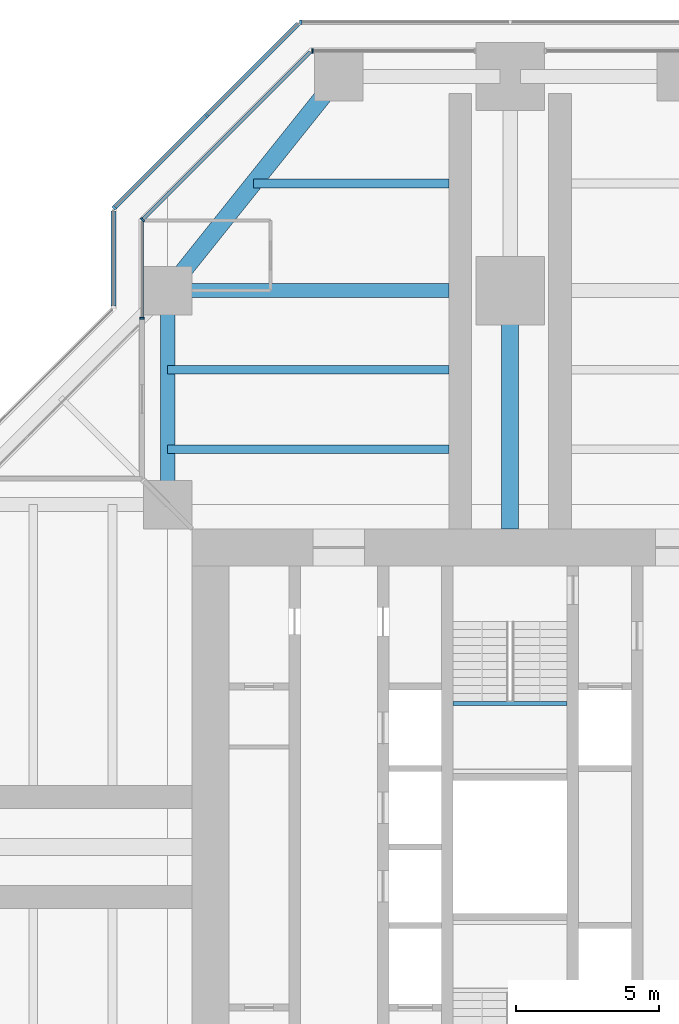
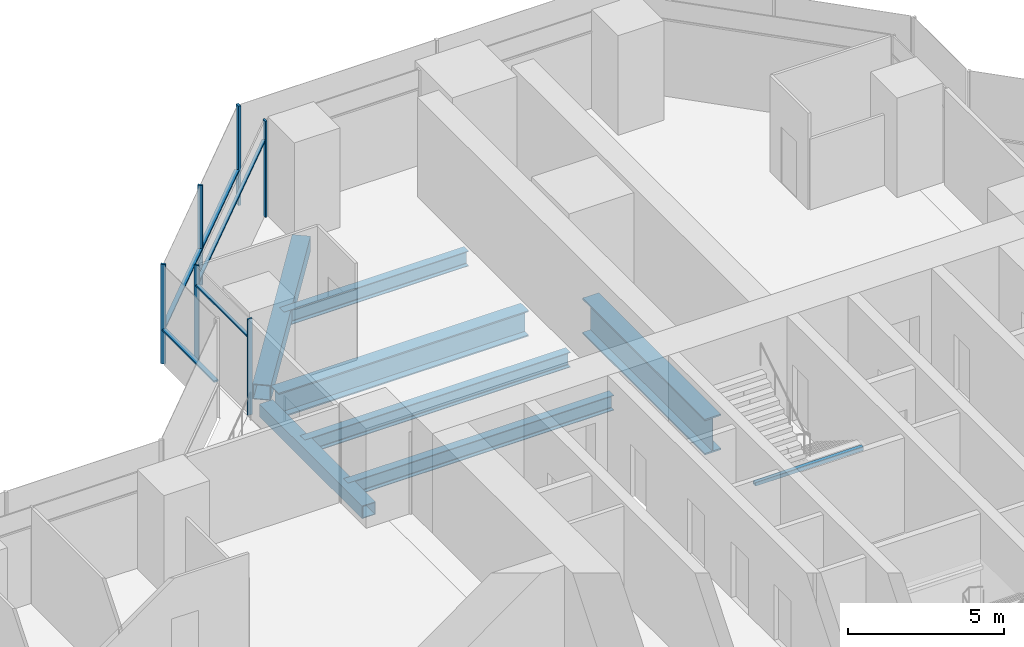
# One storey, part 8 of 20: 11 members, 8 beams, 6 elements without a shape of their own.
"""IFC4 building model written with IfcOpenShell, lengths in metres."""

from ifc_helpers import new_model, si_unit, direction, frame, origin, origin_2d, place, context, subcontext, project, spatial, rectangle, hollow_rectangle, i_section, extrude, material, material_profile, profile_set, type_object, element, aggregate, save


model = new_model("IFC4")

# Units and contexts
model_context = context("Model", 3, precision=1e-05, world=origin(), true_north=direction((0.0, 1.0)))
body_context = subcontext(model_context, "Body", "Model", "MODEL_VIEW")
ifc_project = project(units=[si_unit("LENGTHUNIT", "METRE"), si_unit("AREAUNIT", "SQUARE_METRE"), si_unit("VOLUMEUNIT", "CUBIC_METRE"), si_unit("PLANEANGLEUNIT", "RADIAN"), si_unit("MASSUNIT", "GRAM", prefix="KILO")], contexts=[model_context])

# Site, building, storey
site_placement = place(None, origin())
site = spatial("IfcSite", under=ifc_project, at=site_placement, CompositionType="ELEMENT")
building_placement = place(site_placement, origin())
building = spatial("IfcBuilding", under=site, at=building_placement, Name="Mizan Broadcast Tower", CompositionType="ELEMENT")
storey_placement = place(building_placement, frame((0.0, 0.0, 174.89990234375)))
storey = spatial("IfcBuildingStorey", under=building, at=storey_placement, Name="L40", CompositionType="ELEMENT", Elevation=174.89990234375)

# Beams
ifc_material_1 = material(Name="Steel S355", Category="steel")
ifc_material_profile_1 = material_profile(ifc_material_1, hollow_rectangle(XDim=0.5, YDim=0.5, WallThickness=0.030029296875, at=origin_2d()), Name="BOX 500x500x30")
ifc_profile_set_1 = profile_set([ifc_material_profile_1], Name="Steel S355")
beam_type_1 = type_object("IfcBeamType", Name="EDGE BEAM BOX 500x500x30", PredefinedType="SPANDREL", material=ifc_profile_set_1)
beam_1_placement = place(storey_placement, frame((-12.0, 12.449951171875, -0.3798828125), z_axis=(0.0, 1.0, 0.0), x_axis=(-1.0, 0.0, 0.0)))
element("IfcBeam", 1, at=beam_1_placement, inside=storey, type_object=beam_type_1, Name="Edge beam BOX 500x500x30 L40 north arm", PredefinedType="SPANDREL", context=body_context, shape_type="SweptSolid", body=[
    extrude(hollow_rectangle(XDim=0.5, YDim=0.5, WallThickness=0.030029296875, at=origin_2d()), origin(), (0.0, 0.0, 1.0), 6.60009765625),
])
ifc_material_2 = material(Name="Steel S355", Category="steel")
ifc_material_profile_2 = material_profile(ifc_material_2, hollow_rectangle(XDim=0.60009765625, YDim=0.60009765625, WallThickness=0.030029296875, at=origin_2d()), Name="BOX 600x600x30")
ifc_profile_set_2 = profile_set([ifc_material_profile_2], Name="Steel S355")
beam_type_2 = type_object("IfcBeamType", Name="EDGE BEAM BOX 600x600x30", PredefinedType="SPANDREL", material=ifc_profile_set_2)
beam_2_placement = place(storey_placement, frame((-11.639892578125, 19.949951171875, -0.429931640625), z_axis=(0.624673911726, 0.780885717636, 0.0), x_axis=(-0.780885717636, 0.624673911726, 0.0)))
element("IfcBeam", 2, at=beam_2_placement, inside=storey, type_object=beam_type_2, Name="Edge beam BOX 600x600x30 L40 north arm", PredefinedType="SPANDREL", context=body_context, shape_type="SweptSolid", body=[
    extrude(hollow_rectangle(XDim=0.60009765625, YDim=0.60009765625, WallThickness=0.030029296875, at=origin_2d()), origin(), (0.0, 0.0, 1.0), 8.4521484375),
])
ifc_material_3 = material(Name="Steel S460", Category="steel")
ifc_material_profile_3 = material_profile(ifc_material_3, i_section(OverallWidth=0.5, OverallDepth=1.0, WebThickness=0.02490234375, FlangeThickness=0.050048828125, at=origin_2d()), Name="WPG 1000x500")
ifc_profile_set_3 = profile_set([ifc_material_profile_3], Name="Steel S460")
beam_type_3 = type_object("IfcBeamType", Name="GIRDER WPG 1000x500", PredefinedType="BEAM", material=ifc_profile_set_3)
beam_3_placement = place(storey_placement, frame((-11.408935546875, 19.5, -0.6298828125), z_axis=(1.0, 0.0, 0.0), x_axis=(0.0, 1.0, 0.0)))
element("IfcBeam", 3, at=beam_3_placement, inside=storey, type_object=beam_type_3, Name="Girder WPG 1000x500 L40 north arm", PredefinedType="BEAM", context=body_context, shape_type="SweptSolid", body=[
    extrude(i_section(OverallWidth=0.5, OverallDepth=1.0, WebThickness=0.02490234375, FlangeThickness=0.050048828125, at=origin_2d()), origin(), (0.0, 0.0, 1.0), 9.259033203125),
])
ifc_material_4 = material(Name="Steel S460", Category="steel")
ifc_material_profile_4 = material_profile(ifc_material_4, i_section(OverallWidth=0.60009765625, OverallDepth=1.39990234375, WebThickness=0.02490234375, FlangeThickness=0.06005859375, at=origin_2d()), Name="WPG 1400x600")
ifc_profile_set_4 = profile_set([ifc_material_profile_4], Name="Steel S460")
beam_type_4 = type_object("IfcBeamType", Name="GIRDER WPG 1400x600", PredefinedType="BEAM", material=ifc_profile_set_4)
beam_4_placement = place(storey_placement, frame((0.0, 11.14990234375, -0.829833984375), z_axis=(0.0, 1.0, 0.0), x_axis=(-1.0, 0.0, 0.0)))
element("IfcBeam", 4, at=beam_4_placement, inside=storey, type_object=beam_type_4, Name="Girder WPG 1400x600 L40 north arm", PredefinedType="BEAM", context=body_context, shape_type="SweptSolid", body=[
    extrude(i_section(OverallWidth=0.60009765625, OverallDepth=1.39990234375, WebThickness=0.02490234375, FlangeThickness=0.06005859375, at=origin_2d()), origin(), (0.0, 0.0, 1.0), 7.84912109375),
])

# Curtain wall, member
ifc_material_5 = material(Name="Aluminium framed glazing", Category="aluminium")
curtain_wall_type_1 = type_object("IfcCurtainWallType", Name="INNER SKIN MID ZONE", PredefinedType="USERDEFINED", material=ifc_material_5)
curtain_wall_1_placement = place(storey_placement, origin())
curtain_wall_1 = element("IfcCurtainWall", 5, at=curtain_wall_1_placement, inside=storey, type_object=curtain_wall_type_1, Name="Inner skin mid zone L40 N end", ObjectType="INNER SKIN MID ZONE", PredefinedType="USERDEFINED")
ifc_material_6 = material(Name="Aluminium, pale anodised", Category="aluminium")
ifc_material_profile_5 = material_profile(ifc_material_6, rectangle(XDim=0.159912109375, YDim=0.06005859375, at=origin_2d()), Name="MULLION 160x60")
ifc_profile_set_5 = profile_set([ifc_material_profile_5], Name="Aluminium, pale anodised")
member_type_1 = type_object("IfcMemberType", Name="INNER SKIN MULLION 60x160", PredefinedType="MULLION", material=ifc_profile_set_5)
member_1_placement = place(storey_placement, frame((-6.928466796875, 27.89990234375, 0.0), z_axis=(0.0, 0.0, 1.0), x_axis=(0.0, -1.0, 0.0)))
member_1 = element("IfcMember", 6, at=member_1_placement, type_object=member_type_1, Name="Inner skin mid zone L40 N end mullion 2", PredefinedType="MULLION", context=body_context, shape_type="SweptSolid", body=[
    extrude(rectangle(XDim=0.159912109375, YDim=0.06005859375, at=origin_2d()), origin(), (0.0, 0.0, 1.0), 3.77001953125),
])
aggregate(curtain_wall_1, [member_1])

curtain_wall_2_placement = place(storey_placement, origin())
curtain_wall_2 = element("IfcCurtainWall", 7, at=curtain_wall_2_placement, inside=storey, type_object=curtain_wall_type_1, Name="Inner skin mid zone L40 N chamfer", ObjectType="INNER SKIN MID ZONE", PredefinedType="USERDEFINED")
member_2_placement = place(storey_placement, frame((-12.87890625, 21.979736328125, 0.0), z_axis=(0.0, 0.0, 1.0), x_axis=(0.707106781187, -0.707106781187, 0.0)))
member_2 = element("IfcMember", 8, at=member_2_placement, type_object=member_type_1, Name="Inner skin mid zone L40 N chamfer mullion 2", PredefinedType="MULLION", context=body_context, shape_type="SweptSolid", body=[
    extrude(rectangle(XDim=0.159912109375, YDim=0.06005859375, at=origin_2d()), origin(), (0.0, 0.0, 1.0), 3.77001953125),
])

curtain_wall_3_placement = place(storey_placement, origin())
curtain_wall_3 = element("IfcCurtainWall", 9, at=curtain_wall_3_placement, inside=storey, type_object=curtain_wall_type_1, Name="Inner skin mid zone L40 N side", ObjectType="INNER SKIN MID ZONE", PredefinedType="USERDEFINED")
member_3_placement = place(storey_placement, frame((-12.89990234375, 18.530029296875, 0.0), z_axis=(0.0, 0.0, 1.0), x_axis=(1.0, 0.0, 0.0)))
member_3 = element("IfcMember", 10, at=member_3_placement, type_object=member_type_1, Name="Inner skin mid zone L40 N side mullion 2", PredefinedType="MULLION", context=body_context, shape_type="SweptSolid", body=[
    extrude(rectangle(XDim=0.159912109375, YDim=0.06005859375, at=origin_2d()), origin(), (0.0, 0.0, 1.0), 3.77001953125),
])

# Member
ifc_material_7 = material(Name="Aluminium, pale anodised", Category="aluminium")
ifc_material_profile_6 = material_profile(ifc_material_7, rectangle(XDim=0.1201171875, YDim=0.06005859375, at=origin_2d()), Name="TRANSOM 120x60")
ifc_profile_set_6 = profile_set([ifc_material_profile_6], Name="Aluminium, pale anodised")
member_type_2 = type_object("IfcMemberType", Name="INNER SKIN TRANSOM 60x120", PredefinedType="USERDEFINED", material=ifc_profile_set_6)
member_4_placement = place(storey_placement, frame((-7.0009765625, 27.857666015625, 3.030029296875), z_axis=(-0.707106781187, -0.707106781187, 0.0), x_axis=(0.707106781187, -0.707106781187, 0.0)))
member_4 = element("IfcMember", 11, at=member_4_placement, type_object=member_type_2, Name="Inner skin mid zone L40 N chamfer transom 1.1", ObjectType="TRANSOM", PredefinedType="USERDEFINED", context=body_context, shape_type="SweptSolid", body=[
    extrude(rectangle(XDim=0.1201171875, YDim=0.06005859375, at=origin_2d()), origin(), (0.0, 0.0, 1.0), 8.28271484375),
])

aggregate(curtain_wall_2, [member_2, member_4])

member_5_placement = place(storey_placement, frame((-12.89990234375, 21.898681640625, 3.030029296875), z_axis=(0.0, -1.0, 0.0), x_axis=(1.0, 0.0, 0.0)))
member_5 = element("IfcMember", 12, at=member_5_placement, type_object=member_type_2, Name="Inner skin mid zone L40 N side transom 1.1", ObjectType="TRANSOM", PredefinedType="USERDEFINED", context=body_context, shape_type="SweptSolid", body=[
    extrude(rectangle(XDim=0.1201171875, YDim=0.06005859375, at=origin_2d()), origin(), (0.0, 0.0, 1.0), 3.338623046875),
])

aggregate(curtain_wall_3, [member_3, member_5])

# Beam
ifc_material_8 = material(Name="Steel S355", Category="steel")
ifc_material_profile_7 = material_profile(ifc_material_8, hollow_rectangle(XDim=0.14990234375, YDim=0.14990234375, WallThickness=0.008056640625, InnerFilletRadius=0.008056640625, OuterFilletRadius=0.011962890625, at=origin_2d()), Name="SHS 150x150x8")
ifc_profile_set_7 = profile_set([ifc_material_profile_7], Name="Steel S355")
beam_type_5 = type_object("IfcBeamType", Name="LANDING TRIMMER SHS 150x150x8", PredefinedType="BEAM", material=ifc_profile_set_7)
beam_5_placement = place(storey_placement, frame((2.0, 5.02490234375, 1.675048828125), z_axis=(-1.0, 0.0, 0.0), x_axis=(0.0, -1.0, 0.0)))
element("IfcBeam", 13, at=beam_5_placement, inside=storey, type_object=beam_type_5, Name="Stair B landing trimmer L40", PredefinedType="BEAM", context=body_context, shape_type="SweptSolid", body=[
    extrude(hollow_rectangle(XDim=0.14990234375, YDim=0.14990234375, WallThickness=0.008056640625, InnerFilletRadius=0.008056640625, OuterFilletRadius=0.011962890625, at=origin_2d()), origin(), (0.0, 0.0, 1.0), 4.0),
])

# Curtain wall, member
ifc_material_9 = material(Name="Aluminium framed glazing", Category="aluminium")
curtain_wall_type_2 = type_object("IfcCurtainWallType", Name="OUTER SKIN", PredefinedType="USERDEFINED", material=ifc_material_9)
curtain_wall_4_placement = place(storey_placement, origin())
curtain_wall_4 = element("IfcCurtainWall", 14, at=curtain_wall_4_placement, inside=storey, type_object=curtain_wall_type_2, Name="Outer skin L40 N end", ObjectType="OUTER SKIN", PredefinedType="USERDEFINED")
ifc_material_10 = material(Name="Aluminium, pale anodised", Category="aluminium")
ifc_material_profile_8 = material_profile(ifc_material_10, rectangle(XDim=0.159912109375, YDim=0.080078125, at=origin_2d()), Name="MULLION 160x80")
ifc_profile_set_8 = profile_set([ifc_material_profile_8], Name="Aluminium, pale anodised")
member_type_3 = type_object("IfcMemberType", Name="OUTER SKIN MULLION 80x160", PredefinedType="MULLION", material=ifc_profile_set_8)
member_6_placement = place(storey_placement, frame((-7.332763671875, 28.89990234375, 0.0), z_axis=(0.0, 0.0, 1.0), x_axis=(0.0, -1.0, 0.0)))
member_6 = element("IfcMember", 15, at=member_6_placement, type_object=member_type_3, Name="Outer skin L40 N end mullion 3", PredefinedType="MULLION", context=body_context, shape_type="SweptSolid", body=[
    extrude(rectangle(XDim=0.159912109375, YDim=0.080078125, at=origin_2d()), origin(), (0.0, 0.0, 1.0), 3.900146484375),
])
aggregate(curtain_wall_4, [member_6])

# Curtain wall, members
curtain_wall_5_placement = place(storey_placement, origin())
curtain_wall_5 = element("IfcCurtainWall", 16, at=curtain_wall_5_placement, inside=storey, type_object=curtain_wall_type_2, Name="Outer skin L40 N chamfer", ObjectType="OUTER SKIN", PredefinedType="USERDEFINED")
member_7_placement = place(storey_placement, frame((-10.636474609375, 25.636474609375, 0.0), z_axis=(0.0, 0.0, 1.0), x_axis=(0.707106781187, -0.707106781187, 0.0)))
member_7 = element("IfcMember", 17, at=member_7_placement, type_object=member_type_3, Name="Outer skin L40 N chamfer mullion 2", PredefinedType="MULLION", context=body_context, shape_type="SweptSolid", body=[
    extrude(rectangle(XDim=0.159912109375, YDim=0.080078125, at=origin_2d()), origin(), (0.0, 0.0, 1.0), 3.900146484375),
])
member_8_placement = place(storey_placement, frame((-13.871826171875, 22.401123046875, 0.0), z_axis=(0.0, 0.0, 1.0), x_axis=(0.707106781187, -0.707106781187, 0.0)))
member_8 = element("IfcMember", 18, at=member_8_placement, type_object=member_type_3, Name="Outer skin L40 N chamfer mullion 3", PredefinedType="MULLION", context=body_context, shape_type="SweptSolid", body=[
    extrude(rectangle(XDim=0.159912109375, YDim=0.080078125, at=origin_2d()), origin(), (0.0, 0.0, 1.0), 3.900146484375),
])
ifc_material_11 = material(Name="Aluminium, pale anodised", Category="aluminium")
ifc_material_profile_9 = material_profile(ifc_material_11, rectangle(XDim=0.159912109375, YDim=0.06005859375, at=origin_2d()), Name="TRANSOM 160x60")
ifc_profile_set_9 = profile_set([ifc_material_profile_9], Name="Aluminium, pale anodised")
member_type_4 = type_object("IfcMemberType", Name="OUTER SKIN TRANSOM 60x160", PredefinedType="USERDEFINED", material=ifc_profile_set_9)
member_9_placement = place(storey_placement, frame((-7.429443359375, 28.843505859375, 1.400146484375), z_axis=(-0.707106781187, -0.707106781187, 0.0), x_axis=(0.707106781187, -0.707106781187, 0.0)))
member_9 = element("IfcMember", 19, at=member_9_placement, type_object=member_type_4, Name="Outer skin L40 N chamfer transom 1.1", ObjectType="TRANSOM", PredefinedType="USERDEFINED", context=body_context, shape_type="SweptSolid", body=[
    extrude(rectangle(XDim=0.159912109375, YDim=0.06005859375, at=origin_2d()), origin(), (0.0, 0.0, 1.0), 4.495361328125),
])
member_10_placement = place(storey_placement, frame((-10.664794921875, 25.608154296875, 1.400146484375), z_axis=(-0.707106781187, -0.707106781187, 0.0), x_axis=(0.707106781187, -0.707106781187, 0.0)))
member_10 = element("IfcMember", 20, at=member_10_placement, type_object=member_type_4, Name="Outer skin L40 N chamfer transom 2.1", ObjectType="TRANSOM", PredefinedType="USERDEFINED", context=body_context, shape_type="SweptSolid", body=[
    extrude(rectangle(XDim=0.159912109375, YDim=0.06005859375, at=origin_2d()), origin(), (0.0, 0.0, 1.0), 4.495361328125),
])
aggregate(curtain_wall_5, [member_7, member_8, member_9, member_10])

# Curtain wall, member
curtain_wall_6_placement = place(storey_placement, origin())
curtain_wall_6 = element("IfcCurtainWall", 21, at=curtain_wall_6_placement, inside=storey, type_object=curtain_wall_type_2, Name="Outer skin L40 N side", ObjectType="OUTER SKIN", PredefinedType="USERDEFINED")
member_11_placement = place(storey_placement, frame((-13.89990234375, 22.292724609375, 1.400146484375), z_axis=(0.0, -1.0, 0.0), x_axis=(1.0, 0.0, 0.0)))
member_11 = element("IfcMember", 22, at=member_11_placement, type_object=member_type_4, Name="Outer skin L40 N side transom 1.1", ObjectType="TRANSOM", PredefinedType="USERDEFINED", context=body_context, shape_type="SweptSolid", body=[
    extrude(rectangle(XDim=0.159912109375, YDim=0.06005859375, at=origin_2d()), origin(), (0.0, 0.0, 1.0), 3.33984375),
])
aggregate(curtain_wall_6, [member_11])

# Beams
ifc_material_12 = material(Name="Steel S355", Category="steel")
ifc_material_profile_10 = material_profile(ifc_material_12, i_section(OverallWidth=0.300048828125, OverallDepth=0.590087890625, WebThickness=0.012939453125, FlangeThickness=0.02490234375, FilletRadius=0.027099609375, at=origin_2d()), Name="HEA 600")
ifc_profile_set_10 = profile_set([ifc_material_profile_10], Name="Steel S355")
beam_type_6 = type_object("IfcBeamType", Name="SECONDARY BEAM HEA 600", PredefinedType="JOIST", material=ifc_profile_set_10)
for number, where, z_axis, x_axis, name in (
    (23, (-12.0, 13.933349609375, -0.4248046875), (1.0, 0.0, 0.0), (0.0, 1.0, 0.0), "Secondary beam HEA 600 L40 north arm"),
    (24, (-12.0, 16.716552734375, -0.4248046875), (1.0, 0.0, 0.0), (0.0, 1.0, 0.0), "Secondary beam HEA 600 L40 north arm"),
):
    element("IfcBeam", number, at=place(storey_placement, frame(where, z_axis=z_axis, x_axis=x_axis)), inside=storey, type_object=beam_type_6, Name=name, PredefinedType="JOIST", context=body_context, shape_type="SweptSolid", body=[
        extrude(i_section(OverallWidth=0.300048828125, OverallDepth=0.590087890625, WebThickness=0.012939453125, FlangeThickness=0.02490234375, FilletRadius=0.027099609375, at=origin_2d()), origin(), (0.0, 0.0, 1.0), 9.85009765625),
    ])
beam_6_placement = place(storey_placement, frame((-9.0, 23.25, -0.4248046875), z_axis=(1.0, 0.0, 0.0), x_axis=(0.0, 1.0, 0.0)))
element("IfcBeam", 25, at=beam_6_placement, inside=storey, type_object=beam_type_6, Name="Secondary beam HEA 600 L40 north arm", PredefinedType="JOIST", context=body_context, shape_type="SweptSolid", body=[
    extrude(i_section(OverallWidth=0.300048828125, OverallDepth=0.590087890625, WebThickness=0.012939453125, FlangeThickness=0.02490234375, FilletRadius=0.027099609375, at=origin_2d()), origin(), (0.0, 0.0, 1.0), 6.85009765625),
])

save(model, "model.ifc")
